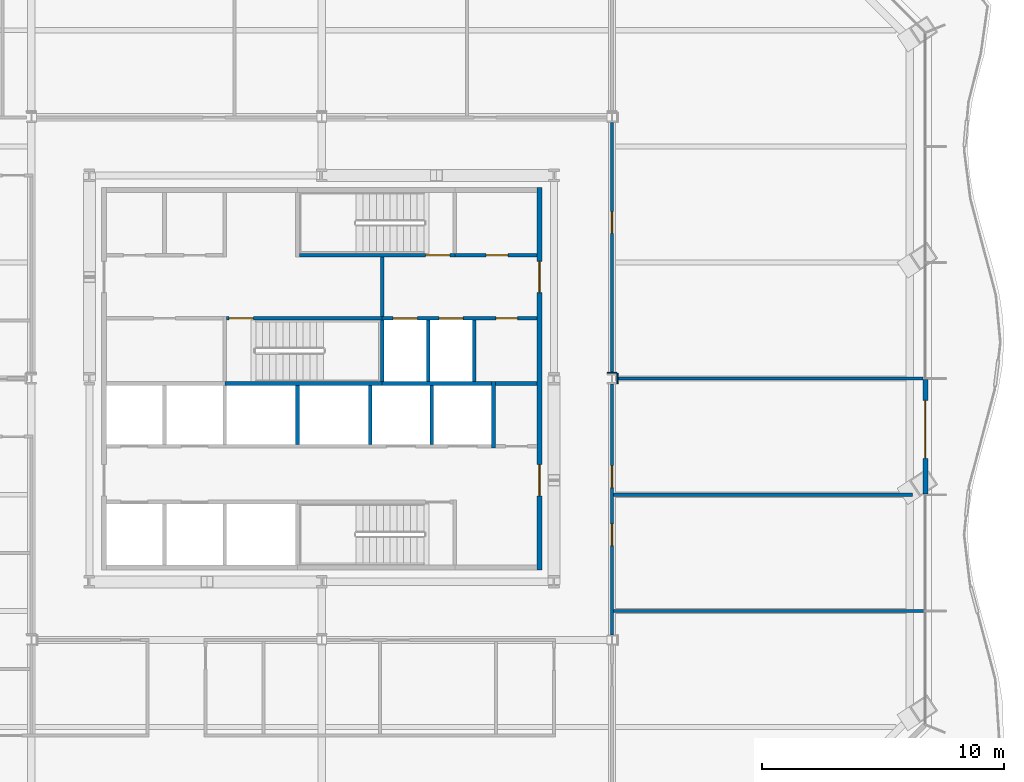
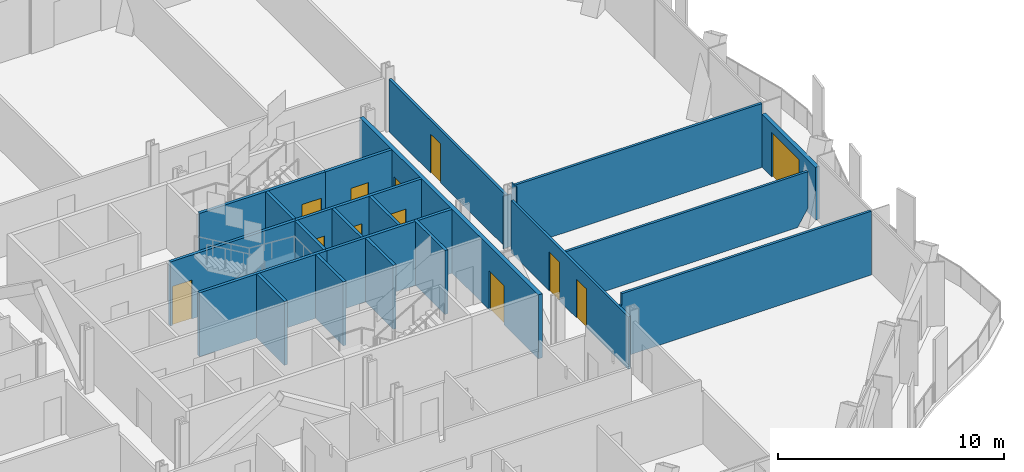
# One storey, part 9 of 20: 24 walls, 12 doors, 12 openings.
"""IFC4 building model written with IfcOpenShell, lengths in metres."""

from ifc_helpers import new_model, si_unit, direction, frame, frame_2d, origin, place, context, subcontext, project, spatial, polyline, rectangle, outline, extrude, material, layer, layer_set, type_object, element, fill, save


model = new_model("IFC4")

# Units and contexts
model_context = context("Model", 3, precision=1e-05, world=origin(), true_north=direction((0.0, 1.0)))
body_context = subcontext(model_context, "Body", "Model", "MODEL_VIEW")
ifc_project = project(units=[si_unit("LENGTHUNIT", "METRE"), si_unit("AREAUNIT", "SQUARE_METRE"), si_unit("VOLUMEUNIT", "CUBIC_METRE"), si_unit("PLANEANGLEUNIT", "RADIAN"), si_unit("MASSUNIT", "GRAM", prefix="KILO")], contexts=[model_context])

# Site, building, storey
site_placement = place(None, origin())
site = spatial("IfcSite", under=ifc_project, at=site_placement, CompositionType="ELEMENT")
building_placement = place(site_placement, origin())
building = spatial("IfcBuilding", under=site, at=building_placement, Name="Cairn Pilgrim Tower", CompositionType="ELEMENT")
storey_placement = place(building_placement, frame((0.0, 0.0, 101.39990234375)))
storey = spatial("IfcBuildingStorey", under=building, at=storey_placement, Name="L24", CompositionType="ELEMENT", Elevation=101.39990234375)

# Wall, opening, door
ifc_material_1 = material(Name="Bronze anodised aluminium insulated sandwich panel with mineral wool fill", Category="aluminium")
ifc_layer_1 = layer(ifc_material_1, 0.199951171875)
ifc_layer_set_1 = layer_set([ifc_layer_1], Name="BRONZE INFILL FRAME WALL 200")
wall_type_1 = type_object("IfcWallType", Name="BRONZE INFILL FRAME WALL 200", PredefinedType="NOTDEFINED", material=ifc_layer_set_1)
wall_1_placement = place(storey_placement, frame((32.14990234375, -2.3701171875, 0.0), z_axis=(0.0, 0.0, 1.0), x_axis=(0.0, 1.0, 0.0)))
wall_1 = element("IfcWall", 1, at=wall_1_placement, inside=storey, type_object=wall_type_1, Name="Bronze infill frame wall IW-E3", PredefinedType="NOTDEFINED", context=body_context, shape_type="SweptSolid", body=[
    extrude(rectangle(XDim=4.740234375, YDim=0.199951171875, at=frame_2d((2.3701171875, 0.0))), origin(), (0.0, 0.0, 1.0), 2.85009765625),
])
opening_1_placement = place(wall_1_placement, frame((1.469970703125, 0.0, 0.0)))
opening_1 = element("IfcOpeningElement", 2, at=opening_1_placement, cuts=wall_1, Name="Opening 2423B", PredefinedType="OPENING", context=body_context, shape_type="SweptSolid", body=[
    extrude(rectangle(XDim=2.39990234375, YDim=2.39990234375, at=frame_2d((1.199951171875, 1.199951171875))), frame((0.0, 0.10986328125, 0.0), z_axis=(0.0, -1.0, 0.0), x_axis=(1.0, 0.0, 0.0)), (0.0, 0.0, 1.0), 0.219970703125),
])
ifc_material_2 = material(Name="Bronze anodised aluminium frame with tinted low-E glass", Category="aluminium")
door_type_1 = type_object("IfcDoorType", Name="BALCONY SLIDING DOOR 2400x2400", OperationType="DOUBLE_DOOR_SLIDING", PredefinedType="DOOR", material=ifc_material_2)
door_1_placement = place(opening_1_placement, origin())
door_1 = element("IfcDoor", 3, at=door_1_placement, inside=storey, type_object=door_type_1, Name="Balcony sliding door 2423B", OperationType="SINGLE_SWING_LEFT", OverallHeight=2.39990234375, OverallWidth=2.39990234375, PredefinedType="DOOR", context=body_context, shape_type="SweptSolid", body=[
    extrude(rectangle(XDim=2.39990234375, YDim=2.39990234375, at=frame_2d((1.199951171875, 1.199951171875))), frame((0.0, 0.02490234375, 0.0), z_axis=(0.0, -1.0, 0.0), x_axis=(1.0, 0.0, 0.0)), (0.0, 0.0, 1.0), 0.050048828125),
])
fill(opening_1, door_1)

# Wall, openings, doors
ifc_material_3 = material(Name="Concrete C32/40", Category="concrete")
ifc_layer_2 = layer(ifc_material_3, 0.199951171875)
ifc_layer_set_2 = layer_set([ifc_layer_2], Name="CORE OUTER WALL 200 EI 120")
wall_type_2 = type_object("IfcWallType", Name="CORE OUTER WALL 200 EI 120", PredefinedType="SOLIDWALL", material=ifc_layer_set_2)
wall_2_placement = place(storey_placement, frame((16.199951171875, -5.5, 0.0), z_axis=(0.0, 0.0, 1.0), x_axis=(0.0, 1.0, 0.0)))
wall_2 = element("IfcWall", 4, at=wall_2_placement, inside=storey, type_object=wall_type_2, Name="CW:L24:V32", PredefinedType="SOLIDWALL", context=body_context, shape_type="SweptSolid", body=[
    extrude(rectangle(XDim=15.800048828125, YDim=0.199951171875, at=frame_2d((7.89990234375, 0.0))), origin(), (0.0, 0.0, 1.0), 3.4501953125),
])
opening_2_placement = place(wall_2_placement, frame((3.050048828125, 0.0, 0.0)))
opening_2 = element("IfcOpeningElement", 5, at=opening_2_placement, cuts=wall_2, Name="Opening CD-E1", PredefinedType="OPENING", context=body_context, shape_type="SweptSolid", body=[
    extrude(rectangle(XDim=1.300048828125, YDim=2.10009765625, at=frame_2d((0.64990234375, 1.050048828125))), frame((0.0, 0.10986328125, 0.0), z_axis=(0.0, -1.0, 0.0), x_axis=(1.0, 0.0, 0.0)), (0.0, 0.0, 1.0), 0.219970703125),
])
opening_3_placement = place(wall_2_placement, frame((11.449951171875, 0.0, 0.0)))
opening_3 = element("IfcOpeningElement", 6, at=opening_3_placement, cuts=wall_2, Name="Opening CD-E2", PredefinedType="OPENING", context=body_context, shape_type="SweptSolid", body=[
    extrude(rectangle(XDim=1.300048828125, YDim=2.10009765625, at=frame_2d((0.64990234375, 1.050048828125))), frame((0.0, 0.10986328125, 0.0), z_axis=(0.0, -1.0, 0.0), x_axis=(1.0, 0.0, 0.0)), (0.0, 0.0, 1.0), 0.219970703125),
])
ifc_material_4 = material(Name="Painted steel", Category="steel")
door_type_2 = type_object("IfcDoorType", Name="CORE LOBBY DOOR 1300x2100", OperationType="DOUBLE_DOOR_SINGLE_SWING", PredefinedType="DOOR", material=ifc_material_4)
door_2_placement = place(opening_2_placement, origin())
door_2 = element("IfcDoor", 7, at=door_2_placement, inside=storey, type_object=door_type_2, Name="CD-E1", OperationType="DOUBLE_DOOR_SINGLE_SWING", OverallHeight=2.10009765625, OverallWidth=1.300048828125, PredefinedType="DOOR", context=body_context, shape_type="SweptSolid", body=[
    extrude(rectangle(XDim=1.300048828125, YDim=2.10009765625, at=frame_2d((0.64990234375, 1.050048828125))), frame((0.0, 0.02490234375, 0.0), z_axis=(0.0, -1.0, 0.0), x_axis=(1.0, 0.0, 0.0)), (0.0, 0.0, 1.0), 0.050048828125),
])
fill(opening_2, door_2)
door_3_placement = place(opening_3_placement, origin())
door_3 = element("IfcDoor", 8, at=door_3_placement, inside=storey, type_object=door_type_2, Name="CD-E2", OperationType="DOUBLE_DOOR_SINGLE_SWING", OverallHeight=2.10009765625, OverallWidth=1.300048828125, PredefinedType="DOOR", context=body_context, shape_type="SweptSolid", body=[
    extrude(rectangle(XDim=1.300048828125, YDim=2.10009765625, at=frame_2d((0.64990234375, 1.050048828125))), frame((0.0, 0.02490234375, 0.0), z_axis=(0.0, -1.0, 0.0), x_axis=(1.0, 0.0, 0.0)), (0.0, 0.0, 1.0), 0.050048828125),
])
fill(opening_3, door_3)

# Walls
ifc_layer_3 = layer(ifc_material_3, 0.14990234375)
ifc_layer_set_3 = layer_set([ifc_layer_3], Name="CORE PARTITION 150 EI 60")
wall_type_3 = type_object("IfcWallType", Name="CORE PARTITION 150 EI 60", PredefinedType="PARTITIONING", material=ifc_layer_set_3)
wall_3_placement = place(storey_placement, frame((14.375, 2.199951171875, 0.0), z_axis=(0.0, 0.0, 1.0), x_axis=(1.0, 0.0, 0.0)))
element("IfcWall", 9, at=wall_3_placement, inside=storey, type_object=wall_type_3, Name="CW:L24:H06", PredefinedType="PARTITIONING", context=body_context, shape_type="SweptSolid", body=[
    extrude(rectangle(XDim=1.72509765625, YDim=0.14990234375, at=frame_2d((0.862548828125, 0.0))), origin(), (0.0, 0.0, 1.0), 3.4501953125),
])
ifc_layer_4 = layer(ifc_material_3, 0.14990234375)
ifc_layer_set_4 = layer_set([ifc_layer_4], Name="CORE SHAFT WALL 150 EI 120")
wall_type_4 = type_object("IfcWallType", Name="CORE SHAFT WALL 150 EI 120", PredefinedType="SOLIDWALL", material=ifc_layer_set_4)
wall_4_placement = place(storey_placement, frame((9.699951171875, 2.199951171875, 0.0), z_axis=(0.0, 0.0, 1.0), x_axis=(1.0, 0.0, 0.0)))
element("IfcWall", 10, at=wall_4_placement, inside=storey, type_object=wall_type_4, Name="CW:L24:H05-3", PredefinedType="SOLIDWALL", context=body_context, shape_type="SweptSolid", body=[
    extrude(rectangle(XDim=4.525146484375, YDim=0.14990234375, at=frame_2d((2.2626953125, 0.0))), origin(), (0.0, 0.0, 1.0), 3.4501953125),
])

# Wall, openings, doors
wall_5_placement = place(storey_placement, frame((9.699951171875, 4.89990234375, 0.0), z_axis=(0.0, 0.0, 1.0), x_axis=(1.0, 0.0, 0.0)))
wall_5 = element("IfcWall", 11, at=wall_5_placement, inside=storey, type_object=wall_type_4, Name="CW:L24:H08-2", PredefinedType="SOLIDWALL", context=body_context, shape_type="SweptSolid", body=[
    extrude(rectangle(XDim=6.400146484375, YDim=0.14990234375, at=frame_2d((3.2001953125, 0.0))), origin(), (0.0, 0.0, 1.0), 3.4501953125),
])
opening_4_placement = place(wall_5_placement, frame((0.449951171875, 0.0, 0.0)))
opening_4 = element("IfcOpeningElement", 12, at=opening_4_placement, cuts=wall_5, Name="Opening LD-FF1", PredefinedType="OPENING", context=body_context, shape_type="SweptSolid", body=[
    extrude(rectangle(XDim=1.0, YDim=2.10009765625, at=frame_2d((0.5, 1.050048828125))), frame((0.0, 0.0849609375, 0.0), z_axis=(0.0, -1.0, 0.0), x_axis=(1.0, 0.0, 0.0)), (0.0, 0.0, 1.0), 0.169921875),
])
opening_5_placement = place(wall_5_placement, frame((2.35009765625, 0.0, 0.0)))
opening_5 = element("IfcOpeningElement", 13, at=opening_5_placement, cuts=wall_5, Name="Opening LD-FF2", PredefinedType="OPENING", context=body_context, shape_type="SweptSolid", body=[
    extrude(rectangle(XDim=1.0, YDim=2.10009765625, at=frame_2d((0.5, 1.050048828125))), frame((0.0, 0.0849609375, 0.0), z_axis=(0.0, -1.0, 0.0), x_axis=(1.0, 0.0, 0.0)), (0.0, 0.0, 1.0), 0.169921875),
])
opening_6_placement = place(wall_5_placement, frame((4.699951171875, 0.0, 0.0)))
opening_6 = element("IfcOpeningElement", 14, at=opening_6_placement, cuts=wall_5, Name="Opening RD-R3E", PredefinedType="OPENING", context=body_context, shape_type="SweptSolid", body=[
    extrude(rectangle(XDim=0.89990234375, YDim=2.10009765625, at=frame_2d((0.449951171875, 1.050048828125))), frame((0.0, 0.0849609375, 0.0), z_axis=(0.0, -1.0, 0.0), x_axis=(1.0, 0.0, 0.0)), (0.0, 0.0, 1.0), 0.169921875),
])
ifc_material_5 = material(Name="Stainless steel", Category="steel")
door_type_3 = type_object("IfcDoorType", Name="LIFT LANDING DOOR FIRE 1000x2100", OperationType="DOUBLE_DOOR_SLIDING", PredefinedType="DOOR", material=ifc_material_5)
door_4_placement = place(opening_4_placement, origin())
door_4 = element("IfcDoor", 15, at=door_4_placement, inside=storey, type_object=door_type_3, Name="LANDING DOOR FF1", OperationType="DOUBLE_DOOR_SLIDING", OverallHeight=2.10009765625, OverallWidth=1.0, PredefinedType="DOOR", context=body_context, shape_type="SweptSolid", body=[
    extrude(rectangle(XDim=1.0, YDim=2.10009765625, at=frame_2d((0.5, 1.050048828125))), frame((0.0, 0.02490234375, 0.0), z_axis=(0.0, -1.0, 0.0), x_axis=(1.0, 0.0, 0.0)), (0.0, 0.0, 1.0), 0.050048828125),
])
fill(opening_4, door_4)
door_5_placement = place(opening_5_placement, origin())
door_5 = element("IfcDoor", 16, at=door_5_placement, inside=storey, type_object=door_type_3, Name="LANDING DOOR FF2", OperationType="DOUBLE_DOOR_SLIDING", OverallHeight=2.10009765625, OverallWidth=1.0, PredefinedType="DOOR", context=body_context, shape_type="SweptSolid", body=[
    extrude(rectangle(XDim=1.0, YDim=2.10009765625, at=frame_2d((0.5, 1.050048828125))), frame((0.0, 0.02490234375, 0.0), z_axis=(0.0, -1.0, 0.0), x_axis=(1.0, 0.0, 0.0)), (0.0, 0.0, 1.0), 0.050048828125),
])
fill(opening_5, door_5)
door_type_4 = type_object("IfcDoorType", Name="SERVICE ROOM DOOR 900x2100", OperationType="SINGLE_SWING_LEFT", PredefinedType="DOOR", material=ifc_material_4)
door_6_placement = place(opening_6_placement, origin())
door_6 = element("IfcDoor", 17, at=door_6_placement, inside=storey, type_object=door_type_4, Name="RD-R3E", OperationType="SINGLE_SWING_LEFT", OverallHeight=2.10009765625, OverallWidth=0.89990234375, PredefinedType="DOOR", context=body_context, shape_type="SweptSolid", body=[
    extrude(rectangle(XDim=0.89990234375, YDim=2.10009765625, at=frame_2d((0.449951171875, 1.050048828125))), frame((0.0, 0.02490234375, 0.0), z_axis=(0.0, -1.0, 0.0), x_axis=(1.0, 0.0, 0.0)), (0.0, 0.0, 1.0), 0.050048828125),
])
fill(opening_6, door_6)

# Wall, opening, door
wall_6_placement = place(storey_placement, frame((12.699951171875, 7.5, 0.0), z_axis=(0.0, 0.0, 1.0), x_axis=(1.0, 0.0, 0.0)))
wall_6 = element("IfcWall", 18, at=wall_6_placement, inside=storey, type_object=wall_type_4, Name="CW:L24:H10-2", PredefinedType="SOLIDWALL", context=body_context, shape_type="SweptSolid", body=[
    extrude(rectangle(XDim=3.400146484375, YDim=0.14990234375, at=frame_2d((1.7001953125, 0.0))), origin(), (0.0, 0.0, 1.0), 3.4501953125),
])
opening_7_placement = place(wall_6_placement, frame((1.300048828125, 0.0, 0.0)))
opening_7 = element("IfcOpeningElement", 19, at=opening_7_placement, cuts=wall_6, Name="Opening RD-R4E", PredefinedType="OPENING", context=body_context, shape_type="SweptSolid", body=[
    extrude(rectangle(XDim=0.89990234375, YDim=2.10009765625, at=frame_2d((0.449951171875, 1.050048828125))), frame((0.0, 0.0849609375, 0.0), z_axis=(0.0, -1.0, 0.0), x_axis=(1.0, 0.0, 0.0)), (0.0, 0.0, 1.0), 0.169921875),
])
door_7_placement = place(opening_7_placement, origin())
door_7 = element("IfcDoor", 20, at=door_7_placement, inside=storey, type_object=door_type_4, Name="RD-R4E", OperationType="SINGLE_SWING_RIGHT", OverallHeight=2.10009765625, OverallWidth=0.89990234375, PredefinedType="DOOR", context=body_context, shape_type="SweptSolid", body=[
    extrude(rectangle(XDim=0.89990234375, YDim=2.10009765625, at=frame_2d((0.449951171875, 1.050048828125))), frame((0.0, 0.02490234375, 0.0), z_axis=(0.0, -1.0, 0.0), x_axis=(1.0, 0.0, 0.0)), (0.0, 0.0, 1.0), 0.050048828125),
])
fill(opening_7, door_7)

# Walls
for number, where, z_axis, x_axis, name in (
    (21, (6.199951171875, -0.324951171875, 0.0), (0.0, 0.0, 1.0), (0.0, 1.0, 0.0), "CW:L24:V21"),
    (22, (9.199951171875, -0.324951171875, 0.0), (0.0, 0.0, 1.0), (0.0, 1.0, 0.0), "CW:L24:V23"),
    (23, (9.699951171875, 4.97509765625, 0.0), (0.0, 0.0, 1.0), (0.0, 1.0, 0.0), "CW:L24:V25"),
):
    element("IfcWall", number, at=place(storey_placement, frame(where, z_axis=z_axis, x_axis=x_axis)), inside=storey, type_object=wall_type_4, Name=name, PredefinedType="SOLIDWALL", context=body_context, shape_type="SweptSolid", body=[
        extrude(rectangle(XDim=2.449951171875, YDim=0.14990234375, at=frame_2d((1.22509765625, 0.0))), origin(), (0.0, 0.0, 1.0), 3.4501953125),
    ])
wall_7_placement = place(storey_placement, frame((11.60009765625, 2.27490234375, 0.0), z_axis=(0.0, 0.0, 1.0), x_axis=(0.0, 1.0, 0.0)))
element("IfcWall", 24, at=wall_7_placement, inside=storey, type_object=wall_type_4, Name="CW:L24:V26", PredefinedType="SOLIDWALL", context=body_context, shape_type="SweptSolid", body=[
    extrude(rectangle(XDim=2.550048828125, YDim=0.14990234375, at=frame_2d((1.27490234375, 0.0))), origin(), (0.0, 0.0, 1.0), 3.4501953125),
])
wall_8_placement = place(storey_placement, frame((11.75, -0.324951171875, 0.0), z_axis=(0.0, 0.0, 1.0), x_axis=(0.0, 1.0, 0.0)))
element("IfcWall", 25, at=wall_8_placement, inside=storey, type_object=wall_type_4, Name="CW:L24:V27", PredefinedType="SOLIDWALL", context=body_context, shape_type="SweptSolid", body=[
    extrude(rectangle(XDim=2.449951171875, YDim=0.14990234375, at=frame_2d((1.22509765625, 0.0))), origin(), (0.0, 0.0, 1.0), 3.4501953125),
])
wall_9_placement = place(storey_placement, frame((13.5, 2.27490234375, 0.0), z_axis=(0.0, 0.0, 1.0), x_axis=(0.0, 1.0, 0.0)))
element("IfcWall", 26, at=wall_9_placement, inside=storey, type_object=wall_type_4, Name="CW:L24:V30", PredefinedType="SOLIDWALL", context=body_context, shape_type="SweptSolid", body=[
    extrude(rectangle(XDim=2.550048828125, YDim=0.14990234375, at=frame_2d((1.27490234375, 0.0))), origin(), (0.0, 0.0, 1.0), 3.4501953125),
])
wall_10_placement = place(storey_placement, frame((14.300048828125, -0.47509765625, 0.0), z_axis=(0.0, 0.0, 1.0), x_axis=(0.0, 1.0, 0.0)))
element("IfcWall", 27, at=wall_10_placement, inside=storey, type_object=wall_type_4, Name="CW:L24:V31", PredefinedType="SOLIDWALL", context=body_context, shape_type="SweptSolid", body=[
    extrude(rectangle(XDim=2.75, YDim=0.14990234375, at=frame_2d((1.375, 0.0))), origin(), (0.0, 0.0, 1.0), 3.4501953125),
])

# Wall, openings, doors
ifc_material_6 = material(Name="Gypsum partition")
ifc_layer_5 = layer(ifc_material_6, 0.125)
ifc_layer_set_5 = layer_set([ifc_layer_5], Name="PARTITION 125 DRYWALL EI 60")
wall_type_5 = type_object("IfcWallType", Name="PARTITION 125 DRYWALL EI 60", PredefinedType="PARTITIONING", material=ifc_layer_set_5)
wall_11_placement = place(storey_placement, frame((19.199951171875, -8.1875, 0.0), z_axis=(0.0, 0.0, 1.0), x_axis=(0.0, 1.0, 0.0)))
wall_11 = element("IfcWall", 28, at=wall_11_placement, inside=storey, type_object=wall_type_5, Name="PARTITION W036", PredefinedType="PARTITIONING", context=body_context, shape_type="SweptSolid", body=[
    extrude(rectangle(XDim=10.375, YDim=0.125, at=frame_2d((5.1875, 0.0))), origin(), (0.0, 0.0, 1.0), 2.830078125),
])
opening_8_placement = place(wall_11_placement, frame((3.6875, 0.0, 0.0)))
opening_8 = element("IfcOpeningElement", 29, at=opening_8_placement, cuts=wall_11, Name="Opening 2422", PredefinedType="OPENING", context=body_context, shape_type="SweptSolid", body=[
    extrude(rectangle(XDim=0.89990234375, YDim=2.10009765625, at=frame_2d((0.449951171875, 1.050048828125))), frame((0.0, 0.072509765625, 0.0), z_axis=(0.0, -1.0, 0.0), x_axis=(1.0, 0.0, 0.0)), (0.0, 0.0, 1.0), 0.14501953125),
])
opening_9_placement = place(wall_11_placement, frame((6.08740234375, 0.0, 0.0)))
opening_9 = element("IfcOpeningElement", 30, at=opening_9_placement, cuts=wall_11, Name="Opening 2423", PredefinedType="OPENING", context=body_context, shape_type="SweptSolid", body=[
    extrude(rectangle(XDim=0.89990234375, YDim=2.10009765625, at=frame_2d((0.449951171875, 1.050048828125))), frame((0.0, 0.072509765625, 0.0), z_axis=(0.0, -1.0, 0.0), x_axis=(1.0, 0.0, 0.0)), (0.0, 0.0, 1.0), 0.14501953125),
])
ifc_material_7 = material(Name="Steel-faced fire door leaf", Category="steel")
door_type_5 = type_object("IfcDoorType", Name="FIRE DOOR 900x2100 FD30S", OperationType="NOTDEFINED", PredefinedType="DOOR", material=ifc_material_7)
door_8_placement = place(opening_8_placement, frame((0.89990234375, 0.0, 0.0), z_axis=(0.0, 0.0, 1.0), x_axis=(-1.0, 0.0, 0.0)))
door_8 = element("IfcDoor", 31, at=door_8_placement, inside=storey, type_object=door_type_5, Name="DOOR 2422", OperationType="SINGLE_SWING_LEFT", OverallHeight=2.10009765625, OverallWidth=0.89990234375, PredefinedType="DOOR", context=body_context, shape_type="SweptSolid", body=[
    extrude(rectangle(XDim=0.89990234375, YDim=2.10009765625, at=frame_2d((0.449951171875, 1.050048828125))), frame((0.0, 0.02490234375, 0.0), z_axis=(0.0, -1.0, 0.0), x_axis=(1.0, 0.0, 0.0)), (0.0, 0.0, 1.0), 0.050048828125),
])
fill(opening_8, door_8)
door_9_placement = place(opening_9_placement, frame((0.89990234375, 0.0, 0.0), z_axis=(0.0, 0.0, 1.0), x_axis=(-1.0, 0.0, 0.0)))
door_9 = element("IfcDoor", 32, at=door_9_placement, inside=storey, type_object=door_type_5, Name="DOOR 2423", OperationType="SINGLE_SWING_RIGHT", OverallHeight=2.10009765625, OverallWidth=0.89990234375, PredefinedType="DOOR", context=body_context, shape_type="SweptSolid", body=[
    extrude(rectangle(XDim=0.89990234375, YDim=2.10009765625, at=frame_2d((0.449951171875, 1.050048828125))), frame((0.0, 0.02490234375, 0.0), z_axis=(0.0, -1.0, 0.0), x_axis=(1.0, 0.0, 0.0)), (0.0, 0.0, 1.0), 0.050048828125),
])
fill(opening_9, door_9)

# Walls
wall_12_placement = place(storey_placement, frame((19.262451171875, -7.199951171875, 0.0), z_axis=(0.0, 0.0, 1.0), x_axis=(1.0, 0.0, 0.0)))
element("IfcWall", 33, at=wall_12_placement, inside=storey, type_object=wall_type_5, Name="PARTITION W038", PredefinedType="PARTITIONING", context=body_context, shape_type="SweptSolid", body=[
    extrude(outline(polyline([(0.0, 0.0), (12.82763671875, 0.0), (12.827392578125, 3.4501953125), (0.08740234375, 3.4501953125), (0.08544921875, 2.830078125), (0.0, 2.830078125), (0.0, 0.0)])), frame((0.0, 0.0625, 0.0), z_axis=(0.0, -1.0, 0.0), x_axis=(1.0, 0.0, 0.0)), (0.0, 0.0, 1.0), 0.125),
])
wall_13_placement = place(storey_placement, frame((19.262451171875, -2.39990234375, 0.0), z_axis=(0.0, 0.0, 1.0), x_axis=(1.0, 0.0, 0.0)))
element("IfcWall", 34, at=wall_13_placement, inside=storey, type_object=wall_type_5, Name="PARTITION W040", PredefinedType="PARTITIONING", context=body_context, shape_type="SweptSolid", body=[
    extrude(outline(polyline([(0.0, 0.0), (11.8310546875, 0.0), (12.354736328125, 0.862548828125), (12.354736328125, 1.72509765625), (12.354736328125, 2.587646484375), (12.354736328125, 2.830078125), (0.0, 2.830078125), (0.0, 2.587646484375), (0.0, 1.72509765625), (0.0, 0.862548828125), (0.0, 0.0)])), frame((0.0, 0.0625, 0.0), z_axis=(0.0, -1.0, 0.0), x_axis=(1.0, 0.0, 0.0)), (0.0, 0.0, 1.0), 0.125),
])
wall_14_placement = place(storey_placement, frame((19.404541015625, 2.39990234375, 0.0), z_axis=(0.0, 0.0, 1.0), x_axis=(1.0, 0.0, 0.0)))
element("IfcWall", 35, at=wall_14_placement, inside=storey, type_object=wall_type_5, Name="PARTITION W046", PredefinedType="PARTITIONING", context=body_context, shape_type="SweptSolid", body=[
    extrude(rectangle(XDim=12.6455078125, YDim=0.125, at=frame_2d((6.32275390625, 0.0))), origin(), (0.0, 0.0, 1.0), 3.4501953125),
])

# Wall, opening, door
wall_15_placement = place(storey_placement, frame((19.199951171875, 2.612548828125, 0.0), z_axis=(0.0, 0.0, 1.0), x_axis=(0.0, 1.0, 0.0)))
wall_15 = element("IfcWall", 36, at=wall_15_placement, inside=storey, type_object=wall_type_5, Name="PARTITION W049", PredefinedType="PARTITIONING", context=body_context, shape_type="SweptSolid", body=[
    extrude(rectangle(XDim=10.375, YDim=0.125, at=frame_2d((5.1875, 0.0))), origin(), (0.0, 0.0, 1.0), 2.830078125),
])
opening_10_placement = place(wall_15_placement, frame((5.78759765625, 0.0, 0.0)))
opening_10 = element("IfcOpeningElement", 37, at=opening_10_placement, cuts=wall_15, Name="Opening 2424", PredefinedType="OPENING", context=body_context, shape_type="SweptSolid", body=[
    extrude(rectangle(XDim=0.89990234375, YDim=2.10009765625, at=frame_2d((0.449951171875, 1.050048828125))), frame((0.0, 0.072509765625, 0.0), z_axis=(0.0, -1.0, 0.0), x_axis=(1.0, 0.0, 0.0)), (0.0, 0.0, 1.0), 0.14501953125),
])
door_10_placement = place(opening_10_placement, frame((0.89990234375, 0.0, 0.0), z_axis=(0.0, 0.0, 1.0), x_axis=(-1.0, 0.0, 0.0)))
door_10 = element("IfcDoor", 38, at=door_10_placement, inside=storey, type_object=door_type_5, Name="DOOR 2424", OperationType="SINGLE_SWING_LEFT", OverallHeight=2.10009765625, OverallWidth=0.89990234375, PredefinedType="DOOR", context=body_context, shape_type="SweptSolid", body=[
    extrude(rectangle(XDim=0.89990234375, YDim=2.10009765625, at=frame_2d((0.449951171875, 1.050048828125))), frame((0.0, 0.02490234375, 0.0), z_axis=(0.0, -1.0, 0.0), x_axis=(1.0, 0.0, 0.0)), (0.0, 0.0, 1.0), 0.050048828125),
])
fill(opening_10, door_10)

# Walls
ifc_layer_6 = layer(ifc_material_6, 0.050048828125)
ifc_layer_set_6 = layer_set([ifc_layer_6], Name="PARTITION 50 DRYWALL EI 60")
wall_type_6 = type_object("IfcWallType", Name="PARTITION 50 DRYWALL EI 60", PredefinedType="PARTITIONING", material=ifc_layer_set_6)
wall_16_placement = place(storey_placement, frame((19.429443359375, 2.1875, 0.0), z_axis=(0.0, 0.0, 1.0), x_axis=(0.0, 1.0, 0.0)))
element("IfcWall", 39, at=wall_16_placement, inside=storey, type_object=wall_type_6, Name="COLUMN CASING WC02", PredefinedType="PARTITIONING", context=body_context, shape_type="SweptSolid", body=[
    extrude(rectangle(XDim=0.425048828125, YDim=0.050048828125, at=frame_2d((0.21240234375, 0.0))), origin(), (0.0, 0.0, 1.0), 3.4501953125),
])
wall_17_placement = place(storey_placement, frame((18.99560546875, 2.637451171875, 0.0), z_axis=(0.0, 0.0, 1.0), x_axis=(1.0, 0.0, 0.0)))
element("IfcWall", 40, at=wall_17_placement, inside=storey, type_object=wall_type_6, Name="COLUMN CASING WC12", PredefinedType="PARTITIONING", context=body_context, shape_type="SweptSolid", body=[
    extrude(rectangle(XDim=0.408935546875, YDim=0.050048828125, at=frame_2d((0.20458984375, 0.0))), origin(), (0.0, 0.0, 1.0), 2.830078125),
])
ifc_material_8 = material(Name="Concrete C35/45", Category="concrete")
ifc_layer_7 = layer(ifc_material_8, 0.14990234375)
ifc_layer_set_7 = layer_set([ifc_layer_7], Name="STAIR SHAFT WALL 150 EI 120")
wall_type_7 = type_object("IfcWallType", Name="STAIR SHAFT WALL 150 EI 120", PredefinedType="SOLIDWALL", material=ifc_layer_set_7)
wall_18_placement = place(storey_placement, frame((3.199951171875, 2.199951171875, 0.0), z_axis=(0.0, 0.0, 1.0), x_axis=(1.0, 0.0, 0.0)))
element("IfcWall", 41, at=wall_18_placement, inside=storey, type_object=wall_type_7, Name="CW:L24:H05-2", PredefinedType="SOLIDWALL", context=body_context, shape_type="SweptSolid", body=[
    extrude(rectangle(XDim=6.5, YDim=0.14990234375, at=frame_2d((3.25, 0.0))), origin(), (0.0, 0.0, 1.0), 3.4501953125),
])

# Wall, opening, door
wall_19_placement = place(storey_placement, frame((3.27490234375, 4.89990234375, 0.0), z_axis=(0.0, 0.0, 1.0), x_axis=(1.0, 0.0, 0.0)))
wall_19 = element("IfcWall", 42, at=wall_19_placement, inside=storey, type_object=wall_type_7, Name="CW:L24:H08-1", PredefinedType="SOLIDWALL", context=body_context, shape_type="SweptSolid", body=[
    extrude(rectangle(XDim=6.425048828125, YDim=0.14990234375, at=frame_2d((3.21240234375, 0.0))), origin(), (0.0, 0.0, 1.0), 3.4501953125),
])
opening_11_placement = place(wall_19_placement, frame((0.10009765625, 0.0, 0.0)))
opening_11 = element("IfcOpeningElement", 43, at=opening_11_placement, cuts=wall_19, Name="Opening SD-B", PredefinedType="OPENING", context=body_context, shape_type="SweptSolid", body=[
    extrude(rectangle(XDim=1.0, YDim=2.10009765625, at=frame_2d((0.5, 1.050048828125))), frame((0.0, 0.0849609375, 0.0), z_axis=(0.0, -1.0, 0.0), x_axis=(1.0, 0.0, 0.0)), (0.0, 0.0, 1.0), 0.169921875),
])
door_type_6 = type_object("IfcDoorType", Name="STAIR DOOR FD60S 1000x2100", OperationType="SINGLE_SWING_LEFT", PredefinedType="DOOR", material=ifc_material_4)
door_11_placement = place(opening_11_placement, origin())
door_11 = element("IfcDoor", 44, at=door_11_placement, inside=storey, type_object=door_type_6, Name="SD-B", OperationType="SINGLE_SWING_RIGHT", OverallHeight=2.10009765625, OverallWidth=1.0, PredefinedType="DOOR", context=body_context, shape_type="SweptSolid", body=[
    extrude(rectangle(XDim=1.0, YDim=2.10009765625, at=frame_2d((0.5, 1.050048828125))), frame((0.0, 0.02490234375, 0.0), z_axis=(0.0, -1.0, 0.0), x_axis=(1.0, 0.0, 0.0)), (0.0, 0.0, 1.0), 0.050048828125),
])
fill(opening_11, door_11)

wall_20_placement = place(storey_placement, frame((6.27490234375, 7.5, 0.0), z_axis=(0.0, 0.0, 1.0), x_axis=(1.0, 0.0, 0.0)))
wall_20 = element("IfcWall", 45, at=wall_20_placement, inside=storey, type_object=wall_type_7, Name="CW:L24:H10-1", PredefinedType="SOLIDWALL", context=body_context, shape_type="SweptSolid", body=[
    extrude(rectangle(XDim=6.425048828125, YDim=0.14990234375, at=frame_2d((3.21240234375, 0.0))), origin(), (0.0, 0.0, 1.0), 3.4501953125),
])
opening_12_placement = place(wall_20_placement, frame((5.22509765625, 0.0, 0.0)))
opening_12 = element("IfcOpeningElement", 46, at=opening_12_placement, cuts=wall_20, Name="Opening SD-C", PredefinedType="OPENING", context=body_context, shape_type="SweptSolid", body=[
    extrude(rectangle(XDim=1.0, YDim=2.10009765625, at=frame_2d((0.5, 1.050048828125))), frame((0.0, 0.0849609375, 0.0), z_axis=(0.0, -1.0, 0.0), x_axis=(1.0, 0.0, 0.0)), (0.0, 0.0, 1.0), 0.169921875),
])
door_12_placement = place(opening_12_placement, origin())
door_12 = element("IfcDoor", 47, at=door_12_placement, inside=storey, type_object=door_type_6, Name="SD-C", OperationType="SINGLE_SWING_LEFT", OverallHeight=2.10009765625, OverallWidth=1.0, PredefinedType="DOOR", context=body_context, shape_type="SweptSolid", body=[
    extrude(rectangle(XDim=1.0, YDim=2.10009765625, at=frame_2d((0.5, 1.050048828125))), frame((0.0, 0.02490234375, 0.0), z_axis=(0.0, -1.0, 0.0), x_axis=(1.0, 0.0, 0.0)), (0.0, 0.0, 1.0), 0.050048828125),
])
fill(opening_12, door_12)

# Wall
wall_21_placement = place(storey_placement, frame((9.699951171875, 2.27490234375, 0.0), z_axis=(0.0, 0.0, 1.0), x_axis=(0.0, 1.0, 0.0)))
element("IfcWall", 48, at=wall_21_placement, inside=storey, type_object=wall_type_7, Name="CW:L24:V24", PredefinedType="SOLIDWALL", context=body_context, shape_type="SweptSolid", body=[
    extrude(rectangle(XDim=2.550048828125, YDim=0.14990234375, at=frame_2d((1.27490234375, 0.0))), origin(), (0.0, 0.0, 1.0), 3.4501953125),
])

save(model, "model.ifc")
